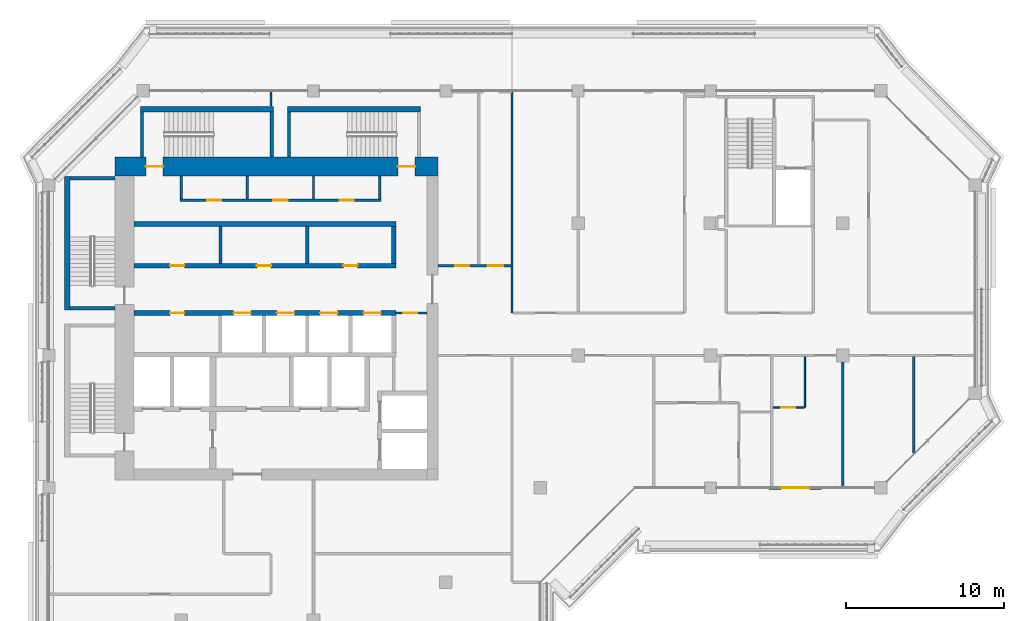
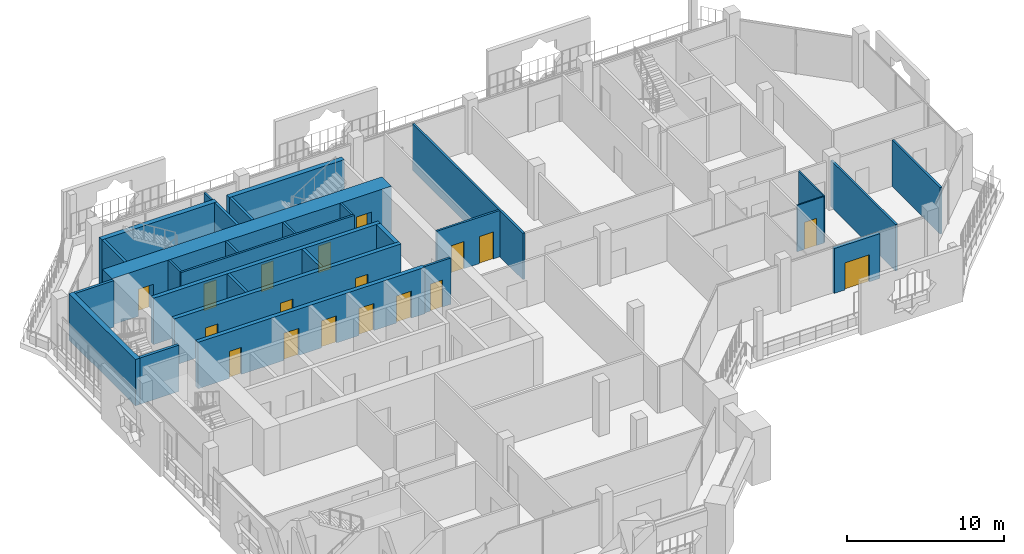
# One storey, part 12 of 22: 29 walls, 18 doors, 18 openings.
"""IFC4 building model written with IfcOpenShell, lengths in metres."""

from ifc_helpers import new_model, si_unit, direction, frame, frame_2d, origin, place, context, subcontext, project, spatial, rectangle, extrude, material, layer, layer_set, type_object, element, fill, save


model = new_model("IFC4")

# Units and contexts
model_context = context("Model", 3, precision=1e-05, world=origin(), true_north=direction((0.0, 1.0)))
body_context = subcontext(model_context, "Body", "Model", "MODEL_VIEW")
ifc_project = project(units=[si_unit("LENGTHUNIT", "METRE"), si_unit("AREAUNIT", "SQUARE_METRE"), si_unit("VOLUMEUNIT", "CUBIC_METRE"), si_unit("PLANEANGLEUNIT", "RADIAN"), si_unit("MASSUNIT", "GRAM", prefix="KILO")], contexts=[model_context])

# Site, building, storey
site_placement = place(None, origin())
site = spatial("IfcSite", under=ifc_project, at=site_placement, CompositionType="ELEMENT")
building_placement = place(site_placement, origin())
building = spatial("IfcBuilding", under=site, at=building_placement, Name="Kawkab Arch Medical Tower", CompositionType="ELEMENT")
storey_placement = place(building_placement, frame((0.0, 0.0, 294.39990234375)))
storey = spatial("IfcBuildingStorey", under=building, at=storey_placement, Name="L68", CompositionType="ELEMENT", Elevation=294.39990234375)

# Wall, openings, doors
ifc_material_1 = material(Name="Concrete C50/60", Category="concrete")
ifc_layer_1 = layer(ifc_material_1, 1.199951171875)
ifc_layer_set_1 = layer_set([ifc_layer_1], Name="Concrete C50/60")
wall_type_1 = type_object("IfcWallType", Name="Core ring wall 1200 C50/60", PredefinedType="SHEAR", material=ifc_layer_set_1)
wall_1_placement = place(storey_placement, frame((4.199951171875, -4.800048828125, 0.0), z_axis=(0.0, 0.0, 1.0), x_axis=(1.0, 0.0, 0.0)))
wall_1 = element("IfcWall", 1, at=wall_1_placement, inside=storey, type_object=wall_type_1, Name="L68 core wall", PredefinedType="SHEAR", context=body_context, shape_type="SweptSolid", body=[
    extrude(rectangle(XDim=20.5, YDim=1.199951171875, at=frame_2d((10.25, 0.0))), origin(), (0.0, 0.0, 1.0), 3.60009765625),
])
opening_1_placement = place(wall_1_placement, frame((1.949951171875, 0.0, 0.0)))
opening_1 = element("IfcOpeningElement", 2, at=opening_1_placement, cuts=wall_1, Name="Opening SD", PredefinedType="OPENING", context=body_context, shape_type="SweptSolid", body=[
    extrude(rectangle(XDim=1.10009765625, YDim=2.10009765625, at=frame_2d((0.550048828125, 1.050048828125))), frame((0.0, 0.60986328125, 0.0), z_axis=(0.0, -1.0, 0.0), x_axis=(1.0, 0.0, 0.0)), (0.0, 0.0, 1.0), 1.219970703125),
])
opening_2_placement = place(wall_1_placement, frame((17.949951171875, 0.0, 0.0)))
opening_2 = element("IfcOpeningElement", 3, at=opening_2_placement, cuts=wall_1, Name="Opening SD", PredefinedType="OPENING", context=body_context, shape_type="SweptSolid", body=[
    extrude(rectangle(XDim=1.10009765625, YDim=2.10009765625, at=frame_2d((0.550048828125, 1.050048828125))), frame((0.0, 0.60986328125, 0.0), z_axis=(0.0, -1.0, 0.0), x_axis=(1.0, 0.0, 0.0)), (0.0, 0.0, 1.0), 1.219970703125),
])
ifc_material_2 = material(Name="Hollow metal fire door leaf")
door_type_1 = type_object("IfcDoorType", Name="Exit stair door 1100", OperationType="SINGLE_SWING_LEFT", PredefinedType="DOOR", material=ifc_material_2)
door_1_placement = place(opening_1_placement, origin())
door_1 = element("IfcDoor", 4, at=door_1_placement, inside=storey, type_object=door_type_1, Name="L68 Exit stair ST3 door", OperationType="SINGLE_SWING_LEFT", OverallHeight=2.10009765625, OverallWidth=1.10009765625, PredefinedType="DOOR", context=body_context, shape_type="SweptSolid", body=[
    extrude(rectangle(XDim=1.10009765625, YDim=2.10009765625, at=frame_2d((0.550048828125, 1.050048828125))), frame((0.0, 0.02490234375, 0.0), z_axis=(0.0, -1.0, 0.0), x_axis=(1.0, 0.0, 0.0)), (0.0, 0.0, 1.0), 0.050048828125),
])
fill(opening_1, door_1)
door_2_placement = place(opening_2_placement, origin())
door_2 = element("IfcDoor", 5, at=door_2_placement, inside=storey, type_object=door_type_1, Name="L68 Exit stair ST4 door", OperationType="SINGLE_SWING_LEFT", OverallHeight=2.10009765625, OverallWidth=1.10009765625, PredefinedType="DOOR", context=body_context, shape_type="SweptSolid", body=[
    extrude(rectangle(XDim=1.10009765625, YDim=2.10009765625, at=frame_2d((0.550048828125, 1.050048828125))), frame((0.0, 0.02490234375, 0.0), z_axis=(0.0, -1.0, 0.0), x_axis=(1.0, 0.0, 0.0)), (0.0, 0.0, 1.0), 0.050048828125),
])
fill(opening_2, door_2)

# Wall, opening, door
ifc_material_3 = material(Name="Gypsum board on steel studs", Category="steel")
ifc_layer_2 = layer(ifc_material_3, 0.14990234375)
ifc_layer_set_2 = layer_set([ifc_layer_2], Name="Gypsum board on steel studs")
wall_type_2 = type_object("IfcWallType", Name="Core room partition 150", PredefinedType="PARTITIONING", material=ifc_layer_set_2)
wall_2_placement = place(storey_placement, frame((22.050048828125, -14.10009765625, 0.0), z_axis=(0.0, 0.0, 1.0), x_axis=(1.0, 0.0, 0.0)))
wall_2 = element("IfcWall", 6, at=wall_2_placement, inside=storey, type_object=wall_type_2, Name="L68 core room partition", PredefinedType="PARTITIONING", context=body_context, shape_type="SweptSolid", body=[
    extrude(rectangle(XDim=1.949951171875, YDim=0.14990234375, at=frame_2d((0.97509765625, 0.0))), origin(), (0.0, 0.0, 1.0), 3.60009765625),
])
opening_3_placement = place(wall_2_placement, frame((0.449951171875, 0.0, 0.0)))
opening_3 = element("IfcOpeningElement", 7, at=opening_3_placement, cuts=wall_2, Name="Opening RD", PredefinedType="OPENING", context=body_context, shape_type="SweptSolid", body=[
    extrude(rectangle(XDim=0.89990234375, YDim=2.10009765625, at=frame_2d((0.449951171875, 1.050048828125))), frame((0.0, 0.0849609375, 0.0), z_axis=(0.0, -1.0, 0.0), x_axis=(1.0, 0.0, 0.0)), (0.0, 0.0, 1.0), 0.169921875),
])
ifc_material_4 = material(Name="Hollow metal fire door leaf")
door_type_2 = type_object("IfcDoorType", Name="Core room door 900", OperationType="SINGLE_SWING_LEFT", PredefinedType="DOOR", material=ifc_material_4)
door_3_placement = place(opening_3_placement, origin())
door_3 = element("IfcDoor", 8, at=door_3_placement, inside=storey, type_object=door_type_2, Name="L68 Housekeeping store door", OperationType="SINGLE_SWING_LEFT", OverallHeight=2.10009765625, OverallWidth=0.89990234375, PredefinedType="DOOR", context=body_context, shape_type="SweptSolid", body=[
    extrude(rectangle(XDim=0.89990234375, YDim=2.10009765625, at=frame_2d((0.449951171875, 1.050048828125))), frame((0.0, 0.02490234375, 0.0), z_axis=(0.0, -1.0, 0.0), x_axis=(1.0, 0.0, 0.0)), (0.0, 0.0, 1.0), 0.050048828125),
])
fill(opening_3, door_3)

# Wall, openings, doors
wall_3_placement = place(storey_placement, frame((8.324951171875, -6.949951171875, 0.0), z_axis=(0.0, 0.0, 1.0), x_axis=(1.0, 0.0, 0.0)))
wall_3 = element("IfcWall", 9, at=wall_3_placement, inside=storey, type_object=wall_type_2, Name="L68 core room partition", PredefinedType="PARTITIONING", context=body_context, shape_type="SweptSolid", body=[
    extrude(rectangle(XDim=12.75, YDim=0.14990234375, at=frame_2d((6.375, 0.0))), origin(), (0.0, 0.0, 1.0), 3.60009765625),
])
opening_4_placement = place(wall_3_placement, frame((1.72509765625, 0.0, 0.0)))
opening_4 = element("IfcOpeningElement", 10, at=opening_4_placement, cuts=wall_3, Name="Opening RD", PredefinedType="OPENING", context=body_context, shape_type="SweptSolid", body=[
    extrude(rectangle(XDim=0.89990234375, YDim=2.10009765625, at=frame_2d((0.449951171875, 1.050048828125))), frame((0.0, 0.0849609375, 0.0), z_axis=(0.0, -1.0, 0.0), x_axis=(1.0, 0.0, 0.0)), (0.0, 0.0, 1.0), 0.169921875),
])
opening_5_placement = place(wall_3_placement, frame((5.925048828125, 0.0, 0.0)))
opening_5 = element("IfcOpeningElement", 11, at=opening_5_placement, cuts=wall_3, Name="Opening RD", PredefinedType="OPENING", context=body_context, shape_type="SweptSolid", body=[
    extrude(rectangle(XDim=0.89990234375, YDim=2.10009765625, at=frame_2d((0.449951171875, 1.050048828125))), frame((0.0, 0.0849609375, 0.0), z_axis=(0.0, -1.0, 0.0), x_axis=(1.0, 0.0, 0.0)), (0.0, 0.0, 1.0), 0.169921875),
])
opening_6_placement = place(wall_3_placement, frame((10.125, 0.0, 0.0)))
opening_6 = element("IfcOpeningElement", 12, at=opening_6_placement, cuts=wall_3, Name="Opening RD", PredefinedType="OPENING", context=body_context, shape_type="SweptSolid", body=[
    extrude(rectangle(XDim=0.89990234375, YDim=2.10009765625, at=frame_2d((0.449951171875, 1.050048828125))), frame((0.0, 0.0849609375, 0.0), z_axis=(0.0, -1.0, 0.0), x_axis=(1.0, 0.0, 0.0)), (0.0, 0.0, 1.0), 0.169921875),
])
door_4_placement = place(opening_4_placement, origin())
door_4 = element("IfcDoor", 13, at=door_4_placement, inside=storey, type_object=door_type_2, Name="L68 Sprinkler valve room door", OperationType="SINGLE_SWING_LEFT", OverallHeight=2.10009765625, OverallWidth=0.89990234375, PredefinedType="DOOR", context=body_context, shape_type="SweptSolid", body=[
    extrude(rectangle(XDim=0.89990234375, YDim=2.10009765625, at=frame_2d((0.449951171875, 1.050048828125))), frame((0.0, 0.02490234375, 0.0), z_axis=(0.0, -1.0, 0.0), x_axis=(1.0, 0.0, 0.0)), (0.0, 0.0, 1.0), 0.050048828125),
])
fill(opening_4, door_4)
door_5_placement = place(opening_5_placement, origin())
door_5 = element("IfcDoor", 14, at=door_5_placement, inside=storey, type_object=door_type_2, Name="L68 Data room door", OperationType="SINGLE_SWING_LEFT", OverallHeight=2.10009765625, OverallWidth=0.89990234375, PredefinedType="DOOR", context=body_context, shape_type="SweptSolid", body=[
    extrude(rectangle(XDim=0.89990234375, YDim=2.10009765625, at=frame_2d((0.449951171875, 1.050048828125))), frame((0.0, 0.02490234375, 0.0), z_axis=(0.0, -1.0, 0.0), x_axis=(1.0, 0.0, 0.0)), (0.0, 0.0, 1.0), 0.050048828125),
])
fill(opening_5, door_5)
door_6_placement = place(opening_6_placement, origin())
door_6 = element("IfcDoor", 15, at=door_6_placement, inside=storey, type_object=door_type_2, Name="L68 Electrical riser room door", OperationType="SINGLE_SWING_LEFT", OverallHeight=2.10009765625, OverallWidth=0.89990234375, PredefinedType="DOOR", context=body_context, shape_type="SweptSolid", body=[
    extrude(rectangle(XDim=0.89990234375, YDim=2.10009765625, at=frame_2d((0.449951171875, 1.050048828125))), frame((0.0, 0.02490234375, 0.0), z_axis=(0.0, -1.0, 0.0), x_axis=(1.0, 0.0, 0.0)), (0.0, 0.0, 1.0), 0.050048828125),
])
fill(opening_6, door_6)

# Walls
for number, where, z_axis, x_axis, name in (
    (16, (8.39990234375, -6.875, 0.0), (0.0, 0.0, 1.0), (0.0, 1.0, 0.0), "L68 core room partition"),
    (17, (12.60009765625, -6.875, 0.0), (0.0, 0.0, 1.0), (0.0, 1.0, 0.0), "L68 core room partition"),
    (18, (16.800048828125, -6.875, 0.0), (0.0, 0.0, 1.0), (0.0, 1.0, 0.0), "L68 core room partition"),
    (19, (21.0, -6.875, 0.0), (0.0, 0.0, 1.0), (0.0, 1.0, 0.0), "L68 core room partition"),
):
    element("IfcWall", number, at=place(storey_placement, frame(where, z_axis=z_axis, x_axis=x_axis)), inside=storey, type_object=wall_type_2, Name=name, PredefinedType="PARTITIONING", context=body_context, shape_type="SweptSolid", body=[
        extrude(rectangle(XDim=1.47509765625, YDim=0.14990234375, at=frame_2d((0.737548828125, 0.0))), origin(), (0.0, 0.0, 1.0), 3.60009765625),
    ])
ifc_material_5 = material(Name="Concrete C60/75", Category="concrete")
ifc_layer_3 = layer(ifc_material_5, 0.300048828125)
ifc_layer_set_3 = layer_set([ifc_layer_3], Name="Concrete C60/75")
wall_type_3 = type_object("IfcWallType", Name="Core shear wall 300 C60/75", PredefinedType="SHEAR", material=ifc_layer_set_3)
wall_4_placement = place(storey_placement, frame((5.39990234375, -8.449951171875, 0.0), z_axis=(0.0, 0.0, 1.0), x_axis=(1.0, 0.0, 0.0)))
element("IfcWall", 20, at=wall_4_placement, inside=storey, type_object=wall_type_3, Name="L68 core shear wall", PredefinedType="SHEAR", context=body_context, shape_type="SweptSolid", body=[
    extrude(rectangle(XDim=16.650146484375, YDim=0.300048828125, at=frame_2d((8.3251953125, 0.0))), origin(), (0.0, 0.0, 1.0), 3.60009765625),
])

# Wall, openings, doors
wall_5_placement = place(storey_placement, frame((5.39990234375, -11.10009765625, 0.0), z_axis=(0.0, 0.0, 1.0), x_axis=(1.0, 0.0, 0.0)))
wall_5 = element("IfcWall", 21, at=wall_5_placement, inside=storey, type_object=wall_type_3, Name="L68 core shear wall", PredefinedType="SHEAR", context=body_context, shape_type="SweptSolid", body=[
    extrude(rectangle(XDim=16.650146484375, YDim=0.300048828125, at=frame_2d((8.3251953125, 0.0))), origin(), (0.0, 0.0, 1.0), 3.60009765625),
])
opening_7_placement = place(wall_5_placement, frame((2.300048828125, 0.0, 0.0)))
opening_7 = element("IfcOpeningElement", 22, at=opening_7_placement, cuts=wall_5, Name="Opening RD", PredefinedType="OPENING", context=body_context, shape_type="SweptSolid", body=[
    extrude(rectangle(XDim=0.89990234375, YDim=2.10009765625, at=frame_2d((0.449951171875, 1.050048828125))), frame((0.0, 0.159912109375, 0.0), z_axis=(0.0, -1.0, 0.0), x_axis=(1.0, 0.0, 0.0)), (0.0, 0.0, 1.0), 0.320068359375),
])
opening_8_placement = place(wall_5_placement, frame((7.800048828125, 0.0, 0.0)))
opening_8 = element("IfcOpeningElement", 23, at=opening_8_placement, cuts=wall_5, Name="Opening RD", PredefinedType="OPENING", context=body_context, shape_type="SweptSolid", body=[
    extrude(rectangle(XDim=0.89990234375, YDim=2.10009765625, at=frame_2d((0.449951171875, 1.050048828125))), frame((0.0, 0.159912109375, 0.0), z_axis=(0.0, -1.0, 0.0), x_axis=(1.0, 0.0, 0.0)), (0.0, 0.0, 1.0), 0.320068359375),
])
opening_9_placement = place(wall_5_placement, frame((13.300048828125, 0.0, 0.0)))
opening_9 = element("IfcOpeningElement", 24, at=opening_9_placement, cuts=wall_5, Name="Opening RD", PredefinedType="OPENING", context=body_context, shape_type="SweptSolid", body=[
    extrude(rectangle(XDim=0.89990234375, YDim=2.10009765625, at=frame_2d((0.449951171875, 1.050048828125))), frame((0.0, 0.159912109375, 0.0), z_axis=(0.0, -1.0, 0.0), x_axis=(1.0, 0.0, 0.0)), (0.0, 0.0, 1.0), 0.320068359375),
])
door_7_placement = place(opening_7_placement, origin())
door_7 = element("IfcDoor", 25, at=door_7_placement, inside=storey, type_object=door_type_2, Name="L68 Ward pantry door", OperationType="SINGLE_SWING_LEFT", OverallHeight=2.10009765625, OverallWidth=0.89990234375, PredefinedType="DOOR", context=body_context, shape_type="SweptSolid", body=[
    extrude(rectangle(XDim=0.89990234375, YDim=2.10009765625, at=frame_2d((0.449951171875, 1.050048828125))), frame((0.0, 0.02490234375, 0.0), z_axis=(0.0, -1.0, 0.0), x_axis=(1.0, 0.0, 0.0)), (0.0, 0.0, 1.0), 0.050048828125),
])
fill(opening_7, door_7)
door_8_placement = place(opening_8_placement, origin())
door_8 = element("IfcDoor", 26, at=door_8_placement, inside=storey, type_object=door_type_2, Name="L68 Data room door", OperationType="SINGLE_SWING_LEFT", OverallHeight=2.10009765625, OverallWidth=0.89990234375, PredefinedType="DOOR", context=body_context, shape_type="SweptSolid", body=[
    extrude(rectangle(XDim=0.89990234375, YDim=2.10009765625, at=frame_2d((0.449951171875, 1.050048828125))), frame((0.0, 0.02490234375, 0.0), z_axis=(0.0, -1.0, 0.0), x_axis=(1.0, 0.0, 0.0)), (0.0, 0.0, 1.0), 0.050048828125),
])
fill(opening_8, door_8)
door_9_placement = place(opening_9_placement, origin())
door_9 = element("IfcDoor", 27, at=door_9_placement, inside=storey, type_object=door_type_2, Name="L68 Linen store door", OperationType="SINGLE_SWING_LEFT", OverallHeight=2.10009765625, OverallWidth=0.89990234375, PredefinedType="DOOR", context=body_context, shape_type="SweptSolid", body=[
    extrude(rectangle(XDim=0.89990234375, YDim=2.10009765625, at=frame_2d((0.449951171875, 1.050048828125))), frame((0.0, 0.02490234375, 0.0), z_axis=(0.0, -1.0, 0.0), x_axis=(1.0, 0.0, 0.0)), (0.0, 0.0, 1.0), 0.050048828125),
])
fill(opening_9, door_9)

wall_6_placement = place(storey_placement, frame((5.39990234375, -14.10009765625, 0.0), z_axis=(0.0, 0.0, 1.0), x_axis=(1.0, 0.0, 0.0)))
wall_6 = element("IfcWall", 28, at=wall_6_placement, inside=storey, type_object=wall_type_3, Name="L68 core shear wall", PredefinedType="SHEAR", context=body_context, shape_type="SweptSolid", body=[
    extrude(rectangle(XDim=16.650146484375, YDim=0.300048828125, at=frame_2d((8.3251953125, 0.0))), origin(), (0.0, 0.0, 1.0), 3.60009765625),
])
opening_10_placement = place(wall_6_placement, frame((6.324951171875, 0.0, 0.0)))
opening_10 = element("IfcOpeningElement", 29, at=opening_10_placement, cuts=wall_6, Name="Opening LD1", PredefinedType="OPENING", context=body_context, shape_type="SweptSolid", body=[
    extrude(rectangle(XDim=1.10009765625, YDim=2.10009765625, at=frame_2d((0.550048828125, 1.050048828125))), frame((0.0, 0.159912109375, 0.0), z_axis=(0.0, -1.0, 0.0), x_axis=(1.0, 0.0, 0.0)), (0.0, 0.0, 1.0), 0.320068359375),
])
opening_11_placement = place(wall_6_placement, frame((9.074951171875, 0.0, 0.0)))
opening_11 = element("IfcOpeningElement", 30, at=opening_11_placement, cuts=wall_6, Name="Opening LD1", PredefinedType="OPENING", context=body_context, shape_type="SweptSolid", body=[
    extrude(rectangle(XDim=1.10009765625, YDim=2.10009765625, at=frame_2d((0.550048828125, 1.050048828125))), frame((0.0, 0.159912109375, 0.0), z_axis=(0.0, -1.0, 0.0), x_axis=(1.0, 0.0, 0.0)), (0.0, 0.0, 1.0), 0.320068359375),
])
opening_12_placement = place(wall_6_placement, frame((11.824951171875, 0.0, 0.0)))
opening_12 = element("IfcOpeningElement", 31, at=opening_12_placement, cuts=wall_6, Name="Opening LD1", PredefinedType="OPENING", context=body_context, shape_type="SweptSolid", body=[
    extrude(rectangle(XDim=1.10009765625, YDim=2.10009765625, at=frame_2d((0.550048828125, 1.050048828125))), frame((0.0, 0.159912109375, 0.0), z_axis=(0.0, -1.0, 0.0), x_axis=(1.0, 0.0, 0.0)), (0.0, 0.0, 1.0), 0.320068359375),
])
opening_13_placement = place(wall_6_placement, frame((14.574951171875, 0.0, 0.0)))
opening_13 = element("IfcOpeningElement", 32, at=opening_13_placement, cuts=wall_6, Name="Opening LD1", PredefinedType="OPENING", context=body_context, shape_type="SweptSolid", body=[
    extrude(rectangle(XDim=1.10009765625, YDim=2.10009765625, at=frame_2d((0.550048828125, 1.050048828125))), frame((0.0, 0.159912109375, 0.0), z_axis=(0.0, -1.0, 0.0), x_axis=(1.0, 0.0, 0.0)), (0.0, 0.0, 1.0), 0.320068359375),
])
opening_14_placement = place(wall_6_placement, frame((2.300048828125, 0.0, 0.0)))
opening_14 = element("IfcOpeningElement", 33, at=opening_14_placement, cuts=wall_6, Name="Opening RD", PredefinedType="OPENING", context=body_context, shape_type="SweptSolid", body=[
    extrude(rectangle(XDim=0.89990234375, YDim=2.10009765625, at=frame_2d((0.449951171875, 1.050048828125))), frame((0.0, 0.159912109375, 0.0), z_axis=(0.0, -1.0, 0.0), x_axis=(1.0, 0.0, 0.0)), (0.0, 0.0, 1.0), 0.320068359375),
])
door_10_placement = place(opening_14_placement, origin())
door_10 = element("IfcDoor", 34, at=door_10_placement, inside=storey, type_object=door_type_2, Name="L68 UPS room door", OperationType="SINGLE_SWING_LEFT", OverallHeight=2.10009765625, OverallWidth=0.89990234375, PredefinedType="DOOR", context=body_context, shape_type="SweptSolid", body=[
    extrude(rectangle(XDim=0.89990234375, YDim=2.10009765625, at=frame_2d((0.449951171875, 1.050048828125))), frame((0.0, 0.02490234375, 0.0), z_axis=(0.0, -1.0, 0.0), x_axis=(1.0, 0.0, 0.0)), (0.0, 0.0, 1.0), 0.050048828125),
])
fill(opening_14, door_10)
ifc_material_6 = material(Name="Stainless steel lift door leaf", Category="steel")
door_type_3 = type_object("IfcDoorType", Name="Lift landing door 1100", OperationType="DOUBLE_DOOR_SLIDING", PredefinedType="DOOR", material=ifc_material_6)
door_11_placement = place(opening_10_placement, origin())
door_11 = element("IfcDoor", 35, at=door_11_placement, inside=storey, type_object=door_type_3, Name="L68 Lift landing door HP1", OperationType="DOUBLE_DOOR_SLIDING", OverallHeight=2.10009765625, OverallWidth=1.10009765625, PredefinedType="DOOR", context=body_context, shape_type="SweptSolid", body=[
    extrude(rectangle(XDim=1.10009765625, YDim=2.10009765625, at=frame_2d((0.550048828125, 1.050048828125))), frame((0.0, 0.02490234375, 0.0), z_axis=(0.0, -1.0, 0.0), x_axis=(1.0, 0.0, 0.0)), (0.0, 0.0, 1.0), 0.050048828125),
])
fill(opening_10, door_11)
door_12_placement = place(opening_11_placement, origin())
door_12 = element("IfcDoor", 36, at=door_12_placement, inside=storey, type_object=door_type_3, Name="L68 Lift landing door HP2", OperationType="DOUBLE_DOOR_SLIDING", OverallHeight=2.10009765625, OverallWidth=1.10009765625, PredefinedType="DOOR", context=body_context, shape_type="SweptSolid", body=[
    extrude(rectangle(XDim=1.10009765625, YDim=2.10009765625, at=frame_2d((0.550048828125, 1.050048828125))), frame((0.0, 0.02490234375, 0.0), z_axis=(0.0, -1.0, 0.0), x_axis=(1.0, 0.0, 0.0)), (0.0, 0.0, 1.0), 0.050048828125),
])
fill(opening_11, door_12)
door_13_placement = place(opening_12_placement, origin())
door_13 = element("IfcDoor", 37, at=door_13_placement, inside=storey, type_object=door_type_3, Name="L68 Lift landing door HP3", OperationType="DOUBLE_DOOR_SLIDING", OverallHeight=2.10009765625, OverallWidth=1.10009765625, PredefinedType="DOOR", context=body_context, shape_type="SweptSolid", body=[
    extrude(rectangle(XDim=1.10009765625, YDim=2.10009765625, at=frame_2d((0.550048828125, 1.050048828125))), frame((0.0, 0.02490234375, 0.0), z_axis=(0.0, -1.0, 0.0), x_axis=(1.0, 0.0, 0.0)), (0.0, 0.0, 1.0), 0.050048828125),
])
fill(opening_12, door_13)
door_14_placement = place(opening_13_placement, origin())
door_14 = element("IfcDoor", 38, at=door_14_placement, inside=storey, type_object=door_type_3, Name="L68 Lift landing door HP4", OperationType="DOUBLE_DOOR_SLIDING", OverallHeight=2.10009765625, OverallWidth=1.10009765625, PredefinedType="DOOR", context=body_context, shape_type="SweptSolid", body=[
    extrude(rectangle(XDim=1.10009765625, YDim=2.10009765625, at=frame_2d((0.550048828125, 1.050048828125))), frame((0.0, 0.02490234375, 0.0), z_axis=(0.0, -1.0, 0.0), x_axis=(1.0, 0.0, 0.0)), (0.0, 0.0, 1.0), 0.050048828125),
])
fill(opening_13, door_14)

# Wall
wall_7_placement = place(storey_placement, frame((21.89990234375, -10.949951171875, 0.0), z_axis=(0.0, 0.0, 1.0), x_axis=(0.0, 1.0, 0.0)))
element("IfcWall", 39, at=wall_7_placement, inside=storey, type_object=wall_type_3, Name="L68 core shear wall", PredefinedType="SHEAR", context=body_context, shape_type="SweptSolid", body=[
    extrude(rectangle(XDim=2.349853515625, YDim=0.300048828125, at=frame_2d((1.1748046875, 0.0))), origin(), (0.0, 0.0, 1.0), 3.60009765625),
])

# Wall, opening, door
ifc_material_7 = material(Name="Bronze clad insulated wall panel")
ifc_layer_4 = layer(ifc_material_7, 0.25)
ifc_layer_set_4 = layer_set([ifc_layer_4], Name="Bronze clad insulated wall panel")
wall_type_4 = type_object("IfcWallType", Name="External wall bay 250", PredefinedType="SOLIDWALL", material=ifc_layer_set_4)
wall_8_placement = place(storey_placement, frame((45.716552734375, -25.199951171875, 0.0), z_axis=(0.0, 0.0, 1.0), x_axis=(1.0, 0.0, 0.0)))
wall_8 = element("IfcWall", 40, at=wall_8_placement, inside=storey, type_object=wall_type_4, Name="External wall bay L68.R11.2.2", PredefinedType="SOLIDWALL", context=body_context, shape_type="SweptSolid", body=[
    extrude(rectangle(XDim=3.341796875, YDim=0.25, at=frame_2d((1.6708984375, 0.0))), origin(), (0.0, 0.0, 1.0), 3.47998046875),
])
opening_15_placement = place(wall_8_placement, frame((0.770751953125, 0.0, 0.0)))
opening_15 = element("IfcOpeningElement", 41, at=opening_15_placement, cuts=wall_8, Name="Opening W68-701", PredefinedType="OPENING", context=body_context, shape_type="SweptSolid", body=[
    extrude(rectangle(XDim=1.800048828125, YDim=2.10009765625, at=frame_2d((0.89990234375, 1.050048828125))), frame((0.0, 0.135009765625, 0.0), z_axis=(0.0, -1.0, 0.0), x_axis=(1.0, 0.0, 0.0)), (0.0, 0.0, 1.0), 0.27001953125),
])
ifc_material_8 = material(Name="Bronze anodised aluminium door with tinted glass", Category="aluminium")
door_type_4 = type_object("IfcDoorType", Name="Double external door 1800 x 2100", OperationType="DOUBLE_DOOR_SINGLE_SWING", PredefinedType="DOOR", material=ifc_material_8)
door_15_placement = place(opening_15_placement, origin())
door_15 = element("IfcDoor", 42, at=door_15_placement, inside=storey, type_object=door_type_4, Name="External door L68.R11.2.2", OperationType="DOUBLE_DOOR_SINGLE_SWING", OverallHeight=2.10009765625, OverallWidth=1.800048828125, PredefinedType="DOOR", context=body_context, shape_type="SweptSolid", body=[
    extrude(rectangle(XDim=1.800048828125, YDim=2.10009765625, at=frame_2d((0.89990234375, 1.050048828125))), frame((0.0, 0.02490234375, 0.0), z_axis=(0.0, -1.0, 0.0), x_axis=(1.0, 0.0, 0.0)), (0.0, 0.0, 1.0), 0.050048828125),
])
fill(opening_15, door_15)

# Walls
ifc_material_9 = material(Name="Dense concrete blockwork", Category="masonry")
ifc_layer_5 = layer(ifc_material_9, 0.199951171875)
ifc_layer_set_5 = layer_set([ifc_layer_5], Name="Dense concrete blockwork")
wall_type_5 = type_object("IfcWallType", Name="Lift shaft partition 200", PredefinedType="PARTITIONING", material=ifc_layer_set_5)
for number, where, z_axis, x_axis, name in (
    (43, (10.89990234375, -10.949951171875, 0.0), (0.0, 0.0, 1.0), (0.0, 1.0, 0.0), "L68 lift shaft partition"),
    (44, (16.39990234375, -10.949951171875, 0.0), (0.0, 0.0, 1.0), (0.0, 1.0, 0.0), "L68 lift shaft partition"),
):
    element("IfcWall", number, at=place(storey_placement, frame(where, z_axis=z_axis, x_axis=x_axis)), inside=storey, type_object=wall_type_5, Name=name, PredefinedType="PARTITIONING", context=body_context, shape_type="SweptSolid", body=[
        extrude(rectangle(XDim=2.349853515625, YDim=0.199951171875, at=frame_2d((1.1748046875, 0.0))), origin(), (0.0, 0.0, 1.0), 3.60009765625),
    ])

# Wall, opening, door
ifc_material_10 = material(Name="Gypsum board partition on steel studs", Category="steel")
ifc_layer_6 = layer(ifc_material_10, 0.10009765625)
ifc_layer_set_6 = layer_set([ifc_layer_6], Name="Gypsum board partition on steel studs")
wall_type_6 = type_object("IfcWallType", Name="Partition 100", PredefinedType="PARTITIONING", material=ifc_layer_set_6)
wall_9_placement = place(storey_placement, frame((45.97509765625, -20.10009765625, 0.0), z_axis=(0.0, 0.0, 1.0), x_axis=(1.0, 0.0, 0.0)))
wall_9 = element("IfcWall", 45, at=wall_9_placement, inside=storey, type_object=wall_type_6, Name="Partition 100 w002", PredefinedType="PARTITIONING", context=body_context, shape_type="SweptSolid", body=[
    extrude(rectangle(XDim=1.974853515625, YDim=0.10009765625, at=frame_2d((0.9873046875, 0.0))), origin(), (0.0, 0.0, 1.0), 3.60009765625),
])
opening_16_placement = place(wall_9_placement, frame((0.52490234375, 0.0, 0.0)))
opening_16 = element("IfcOpeningElement", 46, at=opening_16_placement, cuts=wall_9, Name="Opening W68-005", PredefinedType="OPENING", context=body_context, shape_type="SweptSolid", body=[
    extrude(rectangle(XDim=0.89990234375, YDim=2.10009765625, at=frame_2d((0.449951171875, 1.050048828125))), frame((0.0, 0.06005859375, 0.0), z_axis=(0.0, -1.0, 0.0), x_axis=(1.0, 0.0, 0.0)), (0.0, 0.0, 1.0), 0.1201171875),
])
ifc_material_11 = material(Name="Timber door leaf", Category="wood")
door_type_5 = type_object("IfcDoorType", Name="Single door 900x2100", OperationType="NOTDEFINED", PredefinedType="DOOR", material=ifc_material_11)
door_16_placement = place(opening_16_placement, origin())
door_16 = element("IfcDoor", 47, at=door_16_placement, inside=storey, type_object=door_type_5, Name="Door W68-005", OperationType="SINGLE_SWING_RIGHT", OverallHeight=2.10009765625, OverallWidth=0.89990234375, PredefinedType="DOOR", context=body_context, shape_type="SweptSolid", body=[
    extrude(rectangle(XDim=0.89990234375, YDim=2.10009765625, at=frame_2d((0.449951171875, 1.050048828125))), frame((0.0, 0.02490234375, 0.0), z_axis=(0.0, -1.0, 0.0), x_axis=(1.0, 0.0, 0.0)), (0.0, 0.0, 1.0), 0.050048828125),
])
fill(opening_16, door_16)

# Wall
wall_10_placement = place(storey_placement, frame((48.0, -20.10009765625, 0.0), z_axis=(0.0, 0.0, 1.0), x_axis=(0.0, 1.0, 0.0)))
element("IfcWall", 48, at=wall_10_placement, inside=storey, type_object=wall_type_6, Name="Partition 100 w006", PredefinedType="PARTITIONING", context=body_context, shape_type="SweptSolid", body=[
    extrude(rectangle(XDim=3.22509765625, YDim=0.10009765625, at=frame_2d((1.612548828125, 0.0))), origin(), (0.0, 0.0, 1.0), 3.60009765625),
])

# Wall, openings, doors
ifc_material_12 = material(Name="Gypsum board partition on steel studs, mineral wool", Category="steel")
ifc_layer_7 = layer(ifc_material_12, 0.14990234375)
ifc_layer_set_7 = layer_set([ifc_layer_7], Name="Gypsum board partition on steel studs, mineral wool")
wall_type_7 = type_object("IfcWallType", Name="Partition 150", PredefinedType="PARTITIONING", material=ifc_layer_set_7)
wall_11_placement = place(storey_placement, frame((24.699951171875, -11.10009765625, 0.0), z_axis=(0.0, 0.0, 1.0), x_axis=(1.0, 0.0, 0.0)))
wall_11 = element("IfcWall", 49, at=wall_11_placement, inside=storey, type_object=wall_type_7, Name="Partition 150 w018", PredefinedType="PARTITIONING", context=body_context, shape_type="SweptSolid", body=[
    extrude(rectangle(XDim=4.625, YDim=0.14990234375, at=frame_2d((2.3125, 0.0))), origin(), (0.0, 0.0, 1.0), 3.60009765625),
])
opening_17_placement = place(wall_11_placement, frame((1.10009765625, 0.0, 0.0)))
opening_17 = element("IfcOpeningElement", 50, at=opening_17_placement, cuts=wall_11, Name="Opening W68-006", PredefinedType="OPENING", context=body_context, shape_type="SweptSolid", body=[
    extrude(rectangle(XDim=0.89990234375, YDim=2.10009765625, at=frame_2d((0.449951171875, 1.050048828125))), frame((0.0, 0.0849609375, 0.0), z_axis=(0.0, -1.0, 0.0), x_axis=(1.0, 0.0, 0.0)), (0.0, 0.0, 1.0), 0.169921875),
])
opening_18_placement = place(wall_11_placement, frame((3.14990234375, 0.0, 0.0)))
opening_18 = element("IfcOpeningElement", 51, at=opening_18_placement, cuts=wall_11, Name="Opening W68-009", PredefinedType="OPENING", context=body_context, shape_type="SweptSolid", body=[
    extrude(rectangle(XDim=1.0, YDim=2.10009765625, at=frame_2d((0.5, 1.050048828125))), frame((0.0, 0.0849609375, 0.0), z_axis=(0.0, -1.0, 0.0), x_axis=(1.0, 0.0, 0.0)), (0.0, 0.0, 1.0), 0.169921875),
])
ifc_material_13 = material(Name="Timber door leaf", Category="wood")
door_type_6 = type_object("IfcDoorType", Name="Single door 1000x2100", OperationType="NOTDEFINED", PredefinedType="DOOR", material=ifc_material_13)
door_17_placement = place(opening_18_placement, origin())
door_17 = element("IfcDoor", 52, at=door_17_placement, inside=storey, type_object=door_type_6, Name="Door W68-009", OperationType="SINGLE_SWING_RIGHT", OverallHeight=2.10009765625, OverallWidth=1.0, PredefinedType="DOOR", context=body_context, shape_type="SweptSolid", body=[
    extrude(rectangle(XDim=1.0, YDim=2.10009765625, at=frame_2d((0.5, 1.050048828125))), frame((0.0, 0.02490234375, 0.0), z_axis=(0.0, -1.0, 0.0), x_axis=(1.0, 0.0, 0.0)), (0.0, 0.0, 1.0), 0.050048828125),
])
fill(opening_18, door_17)
door_18_placement = place(opening_17_placement, origin())
door_18 = element("IfcDoor", 53, at=door_18_placement, inside=storey, type_object=door_type_5, Name="Door W68-006", OperationType="SINGLE_SWING_LEFT", OverallHeight=2.10009765625, OverallWidth=0.89990234375, PredefinedType="DOOR", context=body_context, shape_type="SweptSolid", body=[
    extrude(rectangle(XDim=0.89990234375, YDim=2.10009765625, at=frame_2d((0.449951171875, 1.050048828125))), frame((0.0, 0.02490234375, 0.0), z_axis=(0.0, -1.0, 0.0), x_axis=(1.0, 0.0, 0.0)), (0.0, 0.0, 1.0), 0.050048828125),
])
fill(opening_17, door_18)

# Walls
wall_12_placement = place(storey_placement, frame((14.10009765625, -0.969970703125, 0.0), z_axis=(0.0, 0.0, 1.0), x_axis=(0.0, 1.0, 0.0)))
element("IfcWall", 54, at=wall_12_placement, inside=storey, type_object=wall_type_7, Name="Partition 150 w029", PredefinedType="PARTITIONING", context=body_context, shape_type="SweptSolid", body=[
    extrude(rectangle(XDim=0.889892578125, YDim=0.14990234375, at=frame_2d((0.44482421875, 0.0))), origin(), (0.0, 0.0, 1.0), 3.60009765625),
])
wall_13_placement = place(storey_placement, frame((29.39990234375, -14.10009765625, 0.0), z_axis=(0.0, 0.0, 1.0), x_axis=(0.0, 1.0, 0.0)))
element("IfcWall", 55, at=wall_13_placement, inside=storey, type_object=wall_type_7, Name="Partition 150 w033", PredefinedType="PARTITIONING", context=body_context, shape_type="SweptSolid", body=[
    extrude(rectangle(XDim=14.02001953125, YDim=0.14990234375, at=frame_2d((7.010009765625, 0.0))), origin(), (0.0, 0.0, 1.0), 3.60009765625),
])
wall_14_placement = place(storey_placement, frame((50.39990234375, -25.1201171875, 0.0), z_axis=(0.0, 0.0, 1.0), x_axis=(0.0, 1.0, 0.0)))
element("IfcWall", 56, at=wall_14_placement, inside=storey, type_object=wall_type_7, Name="Partition 150 w041", PredefinedType="PARTITIONING", context=body_context, shape_type="SweptSolid", body=[
    extrude(rectangle(XDim=8.2451171875, YDim=0.14990234375, at=frame_2d((4.12255859375, 0.0))), origin(), (0.0, 0.0, 1.0), 3.60009765625),
])
wall_15_placement = place(storey_placement, frame((54.89990234375, -22.987060546875, 0.0), z_axis=(0.0, 0.0, 1.0), x_axis=(0.0, 1.0, 0.0)))
element("IfcWall", 57, at=wall_15_placement, inside=storey, type_object=wall_type_7, Name="Partition 150 w043", PredefinedType="PARTITIONING", context=body_context, shape_type="SweptSolid", body=[
    extrude(rectangle(XDim=6.112060546875, YDim=0.14990234375, at=frame_2d((3.05615234375, 0.0))), origin(), (0.0, 0.0, 1.0), 3.60009765625),
])
ifc_material_14 = material(Name="Concrete C50/60", Category="concrete")
ifc_layer_8 = layer(ifc_material_14, 0.199951171875)
ifc_layer_set_8 = layer_set([ifc_layer_8], Name="Concrete C50/60")
wall_type_8 = type_object("IfcWallType", Name="Stair enclosure wall 200 C50/60", PredefinedType="SHEAR", material=ifc_layer_set_8)
for number, where, z_axis, x_axis, name in (
    (58, (1.35009765625, -5.550048828125, 0.0), (0.0, 0.0, 1.0), (1.0, 0.0, 0.0), "L68 stair enclosure wall"),
    (59, (1.35009765625, -13.800048828125, 0.0), (0.0, 0.0, 1.0), (1.0, 0.0, 0.0), "L68 stair enclosure wall"),
    (60, (5.89990234375, -4.199951171875, 0.0), (0.0, 0.0, 1.0), (0.0, 1.0, 0.0), "L68 stair enclosure wall"),
    (61, (14.14990234375, -4.199951171875, 0.0), (0.0, 0.0, 1.0), (0.0, 1.0, 0.0), "L68 stair enclosure wall"),
    (62, (15.25, -4.199951171875, 0.0), (0.0, 0.0, 1.0), (0.0, 1.0, 0.0), "L68 stair enclosure wall"),
):
    element("IfcWall", number, at=place(storey_placement, frame(where, z_axis=z_axis, x_axis=x_axis)), inside=storey, type_object=wall_type_8, Name=name, PredefinedType="SHEAR", context=body_context, shape_type="SweptSolid", body=[
        extrude(rectangle(XDim=2.849853515625, YDim=0.199951171875, at=frame_2d((1.4248046875, 0.0))), origin(), (0.0, 0.0, 1.0), 3.60009765625),
    ])
ifc_material_15 = material(Name="Concrete C50/60", Category="concrete")
ifc_layer_9 = layer(ifc_material_15, 0.35009765625)
ifc_layer_set_9 = layer_set([ifc_layer_9], Name="Concrete C50/60")
wall_type_9 = type_object("IfcWallType", Name="Stair enclosure wall 350 C50/60", PredefinedType="SHEAR", material=ifc_layer_set_9)
for number, where, z_axis, x_axis, name in (
    (63, (1.175048828125, -13.89990234375, 0.0), (0.0, 0.0, 1.0), (0.0, 1.0, 0.0), "L68 stair enclosure wall"),
    (64, (5.800048828125, -1.175048828125, 0.0), (0.0, 0.0, 1.0), (1.0, 0.0, 0.0), "L68 stair enclosure wall"),
):
    element("IfcWall", number, at=place(storey_placement, frame(where, z_axis=z_axis, x_axis=x_axis)), inside=storey, type_object=wall_type_9, Name=name, PredefinedType="SHEAR", context=body_context, shape_type="SweptSolid", body=[
        extrude(rectangle(XDim=8.449951171875, YDim=0.35009765625, at=frame_2d((4.22509765625, 0.0))), origin(), (0.0, 0.0, 1.0), 3.60009765625),
    ])
wall_16_placement = place(storey_placement, frame((15.14990234375, -1.175048828125, 0.0), z_axis=(0.0, 0.0, 1.0), x_axis=(1.0, 0.0, 0.0)))
element("IfcWall", 65, at=wall_16_placement, inside=storey, type_object=wall_type_9, Name="L68 stair enclosure wall", PredefinedType="SHEAR", context=body_context, shape_type="SweptSolid", body=[
    extrude(rectangle(XDim=8.4501953125, YDim=0.35009765625, at=frame_2d((4.22509765625, 0.0))), origin(), (0.0, 0.0, 1.0), 3.60009765625),
])

save(model, "model.ifc")
